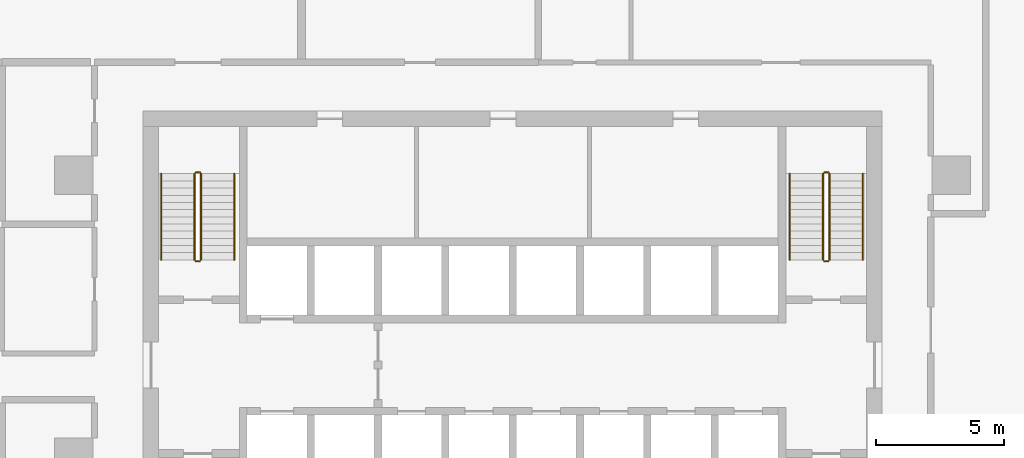
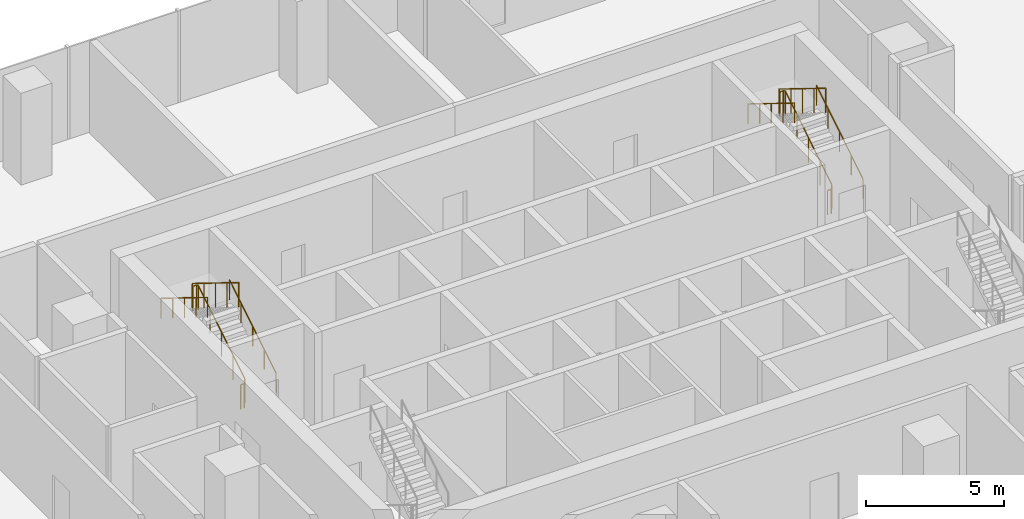
# One storey, part 14 of 15: 10 railings.
"""IFC4 building model written with IfcOpenShell, lengths in metres."""

import ifcopenshell
import ifcopenshell.guid

model = None  # the IFC model being written
_history = None  # IfcOwnerHistory: only IFC2X3 demands one
_inside = {}  # id of a spatial element -> (the spatial element, [elements in it])
_under = {}  # id of a project, library or spatial element -> (it, [spatial elements below it])
_declared = {}  # id of a project -> (the project, [libraries it declares])
_typed = {}  # id of a type object -> (the type object, [elements of that type])
_made_of = {}  # id of a material, layer set ... -> (it, [elements and type objects made of it])


def new_model(schema):
    """Start an empty IFC model of exactly this schema.

    Asked for "IFC4X3", IfcOpenShell would pick the latest addendum, in which some entities
    have other attributes; the version numbers below select the first issue.
    IFC2X3 requires an IfcOwnerHistory on every rooted entity: one is made here for all.
    """
    global model, _history
    if schema == "IFC4X3":
        model = ifcopenshell.file(schema_version=(4, 3, 0, 0))
    else:
        model = ifcopenshell.file(schema=schema)
    _inside.clear()
    _under.clear()
    _declared.clear()
    _typed.clear()
    _made_of.clear()
    _history = None
    if model.schema == "IFC2X3":
        org = make("IfcOrganization", Name="unknown")
        user = make(
            "IfcPersonAndOrganization",
            ThePerson=make("IfcPerson", FamilyName="unknown"),
            TheOrganization=org,
        )
        app = make(
            "IfcApplication",
            ApplicationDeveloper=org,
            Version="unknown",
            ApplicationFullName="unknown",
            ApplicationIdentifier="unknown",
        )
        _history = make(
            "IfcOwnerHistory",
            OwningUser=user,
            OwningApplication=app,
            ChangeAction="ADDED",
            CreationDate=0,
        )
    return model


def make(cls, **values):
    """One entity of the class cls with the attributes given. An attribute that is None is left unset."""
    return model.create_entity(
        cls, **{name: value for name, value in values.items() if value is not None}
    )


def rooted(cls, **values):
    """An entity with a GlobalId (a new one), such as an element, a storey or a relation."""
    return make(cls, GlobalId=ifcopenshell.guid.new(), OwnerHistory=_history, **values)


def si_unit(unit_type, name, prefix=None):
    """IfcSIUnit, for example si_unit("LENGTHUNIT", "METRE", prefix="MILLI")."""
    return make("IfcSIUnit", UnitType=unit_type, Prefix=prefix, Name=name)


def assignment(units):
    """IfcUnitAssignment: the units of a project."""
    return None if units is None else make("IfcUnitAssignment", Units=units)


def point(xyz):
    """IfcCartesianPoint."""
    return None if xyz is None else make("IfcCartesianPoint", Coordinates=xyz)


def direction(xyz):
    """IfcDirection."""
    return None if xyz is None else make("IfcDirection", DirectionRatios=xyz)


def frame(location, z_axis=None, x_axis=None):
    """IfcAxis2Placement3D, a coordinate frame: its origin and axes. An axis left out is left unset."""
    return make(
        "IfcAxis2Placement3D",
        Location=point(location),
        Axis=direction(z_axis),
        RefDirection=direction(x_axis),
    )


def frame_2d(location, x_axis=None):
    """IfcAxis2Placement2D, a coordinate frame in the plane: its origin and x axis."""
    return make(
        "IfcAxis2Placement2D", Location=point(location), RefDirection=direction(x_axis)
    )


def origin():
    """The frame at (0, 0, 0) with its axes left unset."""
    return frame((0.0, 0.0, 0.0))


def origin_2d():
    """The frame at (0, 0) in the plane with its x axis left unset."""
    return frame_2d((0.0, 0.0))


def place(relative_to, where):
    """IfcLocalPlacement: puts the frame where relative to a parent placement (None: the world)."""
    return make(
        "IfcLocalPlacement", PlacementRelTo=relative_to, RelativePlacement=where
    )


def context(
    kind, dimensions, precision=None, world=None, true_north=None, identifier=None
):
    """IfcGeometricRepresentationContext, for example the 3D "Model" context."""
    return make(
        "IfcGeometricRepresentationContext",
        ContextIdentifier=identifier,
        ContextType=kind,
        CoordinateSpaceDimension=dimensions,
        Precision=precision,
        WorldCoordinateSystem=world,
        TrueNorth=true_north,
    )


def subcontext(parent, identifier, kind, view, scale=None):
    """IfcGeometricRepresentationSubContext, for example "Body" below "Model"."""
    return make(
        "IfcGeometricRepresentationSubContext",
        ContextIdentifier=identifier,
        ContextType=kind,
        ParentContext=parent,
        TargetScale=scale,
        TargetView=view,
    )


def project(units=None, contexts=None):
    """IfcProject with its units and contexts."""
    return rooted(
        "IfcProject",
        Name="project",
        RepresentationContexts=contexts,
        UnitsInContext=assignment(units),
    )


def spatial(cls, under=None, at=None, **own):
    """A site, building, storey or space (cls), placed at a placement, below another one or the project."""
    s = rooted(cls, ObjectPlacement=at, **own)
    if under is not None:
        _under.setdefault(under.id(), (under, []))[1].append(s)
    return s


def profile(cls, at=None, kind="AREA", **sizes):
    """A parametric profile (cls). Its sizes go by their IFC names, for example OverallWidth=200.0."""
    return make(cls, ProfileType=kind, Position=at, **sizes)


def circle(**sizes):
    """IfcCircleProfileDef."""
    return profile("IfcCircleProfileDef", **sizes)


def extrude(swept, where, along, depth):
    """IfcExtrudedAreaSolid: the profile swept, set in the frame where, extruded along a direction by depth."""
    return make(
        "IfcExtrudedAreaSolid",
        SweptArea=swept,
        Position=where,
        ExtrudedDirection=direction(along),
        Depth=depth,
    )


def shape(context_of_items, identifier, shape_type, items):
    """IfcShapeRepresentation: the items that make up one representation, for example the "Body"."""
    return make(
        "IfcShapeRepresentation",
        ContextOfItems=context_of_items,
        RepresentationIdentifier=identifier,
        RepresentationType=shape_type,
        Items=items,
    )


def material(Name=None, Category=None):
    """IfcMaterial."""
    return make("IfcMaterial", Name=Name, Category=Category)


def made_of(thing, what):
    """Note that an element or type object is made of a material, layer set ...; save() writes the relation."""
    if what is not None:
        _made_of.setdefault(what.id(), (what, []))[1].append(thing)
    return thing


def type_object(cls, material=None, **own):
    """A type object (cls), such as IfcWallType, which elements share."""
    return made_of(rooted(cls, **own), material)


def element(
    cls,
    number,
    at=None,
    inside=None,
    cuts=None,
    type_object=None,
    material=None,
    context=None,
    identifier="Body",
    shape_type=None,
    held_by="IfcProductDefinitionShape",
    body=None,
    shapes=None,
    **own,
):
    """One element of the class cls, such as IfcWall. Its Tag is "e" and its number.

    at: its placement. inside: the storey or other place that contains it. cuts: it is an
    opening in that element (IfcRelVoidsElement). A single representation is given by context,
    identifier, shape_type and body (its items); several are given by shapes. held_by: the class
    of the entity that holds the representations. save() writes the other relations.
    """
    e = rooted(cls, Tag="e%d" % number, ObjectPlacement=at, **own)
    if body is not None:
        shapes = [shape(context, identifier, shape_type, body)]
    if shapes is not None:
        e.Representation = make(held_by, Representations=shapes)
    if inside is not None:
        _inside.setdefault(inside.id(), (inside, []))[1].append(e)
    if cuts is not None:
        rooted(
            "IfcRelVoidsElement", RelatingBuildingElement=cuts, RelatedOpeningElement=e
        )
    if type_object is not None:
        _typed.setdefault(type_object.id(), (type_object, []))[1].append(e)
    return made_of(e, material)


def aggregate(whole, parts):
    """IfcRelAggregates: a whole, such as a stair, and the parts it consists of."""
    return rooted("IfcRelAggregates", RelatingObject=whole, RelatedObjects=parts)


def save(model, path):
    """Write the relations noted so far, then the file.

    IfcRelAggregates (storeys below a building ...), IfcRelContainedInSpatialStructure (elements
    in a storey), IfcRelDefinesByType, IfcRelAssociatesMaterial and IfcRelDeclares: one each for
    every whole, place, type object, material and project.
    """
    for whole, parts in _under.values():
        aggregate(whole, parts)
    for where, things in _inside.values():
        rooted(
            "IfcRelContainedInSpatialStructure",
            RelatedElements=things,
            RelatingStructure=where,
        )
    for kind, things in _typed.values():
        rooted("IfcRelDefinesByType", RelatedObjects=things, RelatingType=kind)
    for what, things in _made_of.values():
        rooted("IfcRelAssociatesMaterial", RelatedObjects=things, RelatingMaterial=what)
    for by, libraries in _declared.values():
        rooted("IfcRelDeclares", RelatingContext=by, RelatedDefinitions=libraries)
    model.write(path)


model = new_model("IFC4")

# Units and contexts
model_context = context("Model", 3, precision=1e-05, world=origin(), true_north=direction((0.0, 1.0)))
body_context = subcontext(model_context, "Body", "Model", "MODEL_VIEW")
ifc_project = project(units=[si_unit("LENGTHUNIT", "METRE"), si_unit("AREAUNIT", "SQUARE_METRE"), si_unit("VOLUMEUNIT", "CUBIC_METRE"), si_unit("PLANEANGLEUNIT", "RADIAN"), si_unit("MASSUNIT", "GRAM", prefix="KILO")], contexts=[model_context])

# Site, building, storey
site_placement = place(None, origin())
site = spatial("IfcSite", under=ifc_project, at=site_placement, CompositionType="ELEMENT")
building_placement = place(site_placement, origin())
building = spatial("IfcBuilding", under=site, at=building_placement, Name="Mopane Tessera Tower", CompositionType="ELEMENT")
storey_placement = place(building_placement, frame((0.0, 0.0, 103.60009765625)))
storey = spatial("IfcBuildingStorey", under=building, at=storey_placement, Name="L20", CompositionType="ELEMENT", Elevation=103.60009765625)

# Railings
ifc_material_1 = material(Name="Powder-coated steel balustrade", Category="steel")
railing_type_1 = type_object("IfcRailingType", Name="Escape stair guard 1100 mm", PredefinedType="GUARDRAIL", material=ifc_material_1)
railing_1_placement = place(storey_placement, frame((-12.14990234375, 7.699951171875, 0.173095703125)))
element("IfcRailing", 1, at=railing_1_placement, inside=storey, type_object=railing_type_1, Name="L20 ST2 stair guard 1", PredefinedType="GUARDRAIL", context=body_context, shape_type="SweptSolid", body=[
    extrude(circle(Radius=0.02392578125, at=origin_2d()), frame((0.0, 0.0, 1.076171875), z_axis=(0.0, 0.850623216509, 0.525775754039), x_axis=(-1.0, 0.0, 0.0)), (0.0, 0.0, 1.0), 3.9501953125),
    extrude(circle(Radius=0.02392578125, at=origin_2d()), frame((0.0, 3.360107421875, 3.15283203125), z_axis=(-0.707106781187, 0.707106781187, 0.0), x_axis=(-0.707106781187, -0.707106781187, 0.0)), (0.0, 0.0, 1.0), 0.07080078125),
    extrude(circle(Radius=0.02392578125, at=origin_2d()), frame((-0.050048828125, 3.41015625, 3.15283203125), z_axis=(-1.0, 0.0, 0.0), x_axis=(0.0, -1.0, 0.0)), (0.0, 0.0, 1.0), 0.150146484375),
    extrude(circle(Radius=0.02099609375, at=origin_2d()), origin(), (0.0, 0.0, 1.0), 1.052001953125),
    extrude(circle(Radius=0.02099609375, at=origin_2d()), frame((0.0, 0.840087890625, 0.519287109375)), (0.0, 0.0, 1.0), 1.052001953125),
    extrude(circle(Radius=0.02099609375, at=origin_2d()), frame((0.0, 1.68017578125, 1.03857421875)), (0.0, 0.0, 1.0), 1.052001953125),
    extrude(circle(Radius=0.02099609375, at=origin_2d()), frame((0.0, 2.52001953125, 1.5576171875)), (0.0, 0.0, 1.0), 1.052001953125),
    extrude(circle(Radius=0.02099609375, at=origin_2d()), frame((0.0, 3.360107421875, 2.076904296875)), (0.0, 0.0, 1.0), 1.052001953125),
    extrude(circle(Radius=0.02099609375, at=origin_2d()), frame((-0.050048828125, 3.41015625, 2.076904296875)), (0.0, 0.0, 1.0), 1.052001953125),
    extrude(circle(Radius=0.02099609375, at=origin_2d()), frame((-0.2001953125, 3.41015625, 2.076904296875)), (0.0, 0.0, 1.0), 1.052001953125),
])
railing_2_placement = place(storey_placement, frame((-12.39990234375, 11.06005859375, 2.423095703125)))
element("IfcRailing", 2, at=railing_2_placement, inside=storey, type_object=railing_type_1, Name="L20 ST2 stair guard 2", PredefinedType="GUARDRAIL", context=body_context, shape_type="SweptSolid", body=[
    extrude(circle(Radius=0.02392578125, at=origin_2d()), frame((0.0, 0.0, 1.076171875), z_axis=(0.0, -0.850623216509, 0.525775754039), x_axis=(1.0, 0.0, 0.0)), (0.0, 0.0, 1.0), 3.9501953125),
    extrude(circle(Radius=0.02099609375, at=origin_2d()), origin(), (0.0, 0.0, 1.0), 1.052001953125),
    extrude(circle(Radius=0.02099609375, at=origin_2d()), frame((0.0, -0.840087890625, 0.519287109375)), (0.0, 0.0, 1.0), 1.052001953125),
    extrude(circle(Radius=0.02099609375, at=origin_2d()), frame((0.0, -1.68017578125, 1.03857421875)), (0.0, 0.0, 1.0), 1.052001953125),
    extrude(circle(Radius=0.02099609375, at=origin_2d()), frame((0.0, -2.52001953125, 1.5576171875)), (0.0, 0.0, 1.0), 1.052001953125),
    extrude(circle(Radius=0.02099609375, at=origin_2d()), frame((0.0, -3.360107421875, 2.076904296875)), (0.0, 0.0, 1.0), 1.052001953125),
])
railing_3_placement = place(storey_placement, frame((-12.199951171875, 7.64990234375, 0.0)))
element("IfcRailing", 3, at=railing_3_placement, inside=storey, type_object=railing_type_1, Name="L20 ST2 stair guard 3", PredefinedType="GUARDRAIL", context=body_context, shape_type="SweptSolid", body=[
    extrude(circle(Radius=0.02392578125, at=origin_2d()), frame((0.0, 0.0, 1.076171875), z_axis=(-1.0, 0.0, 0.0), x_axis=(0.0, -1.0, 0.0)), (0.0, 0.0, 1.0), 0.150146484375),
    extrude(circle(Radius=0.02099609375, at=origin_2d()), origin(), (0.0, 0.0, 1.0), 1.052001953125),
    extrude(circle(Radius=0.02099609375, at=origin_2d()), frame((-0.150146484375, 0.0, 0.0)), (0.0, 0.0, 1.0), 1.052001953125),
])
railing_4_placement = place(storey_placement, frame((12.35009765625, 7.699951171875, 0.173095703125)))
element("IfcRailing", 4, at=railing_4_placement, inside=storey, type_object=railing_type_1, Name="L20 ST4 stair guard 1", PredefinedType="GUARDRAIL", context=body_context, shape_type="SweptSolid", body=[
    extrude(circle(Radius=0.02392578125, at=origin_2d()), frame((0.0, 0.0, 1.076171875), z_axis=(0.0, 0.850623216509, 0.525775754039), x_axis=(-1.0, 0.0, 0.0)), (0.0, 0.0, 1.0), 3.9501953125),
    extrude(circle(Radius=0.02392578125, at=origin_2d()), frame((0.0, 3.360107421875, 3.15283203125), z_axis=(-0.707106781187, 0.707106781187, 0.0), x_axis=(-0.707106781187, -0.707106781187, 0.0)), (0.0, 0.0, 1.0), 0.07080078125),
    extrude(circle(Radius=0.02392578125, at=origin_2d()), frame((-0.050048828125, 3.41015625, 3.15283203125), z_axis=(-1.0, 0.0, 0.0), x_axis=(0.0, -1.0, 0.0)), (0.0, 0.0, 1.0), 0.150146484375),
    extrude(circle(Radius=0.02099609375, at=origin_2d()), origin(), (0.0, 0.0, 1.0), 1.052001953125),
    extrude(circle(Radius=0.02099609375, at=origin_2d()), frame((0.0, 0.840087890625, 0.519287109375)), (0.0, 0.0, 1.0), 1.052001953125),
    extrude(circle(Radius=0.02099609375, at=origin_2d()), frame((0.0, 1.68017578125, 1.03857421875)), (0.0, 0.0, 1.0), 1.052001953125),
    extrude(circle(Radius=0.02099609375, at=origin_2d()), frame((0.0, 2.52001953125, 1.5576171875)), (0.0, 0.0, 1.0), 1.052001953125),
    extrude(circle(Radius=0.02099609375, at=origin_2d()), frame((0.0, 3.360107421875, 2.076904296875)), (0.0, 0.0, 1.0), 1.052001953125),
    extrude(circle(Radius=0.02099609375, at=origin_2d()), frame((-0.050048828125, 3.41015625, 2.076904296875)), (0.0, 0.0, 1.0), 1.052001953125),
    extrude(circle(Radius=0.02099609375, at=origin_2d()), frame((-0.2001953125, 3.41015625, 2.076904296875)), (0.0, 0.0, 1.0), 1.052001953125),
])
railing_5_placement = place(storey_placement, frame((12.10009765625, 11.06005859375, 2.423095703125)))
element("IfcRailing", 5, at=railing_5_placement, inside=storey, type_object=railing_type_1, Name="L20 ST4 stair guard 2", PredefinedType="GUARDRAIL", context=body_context, shape_type="SweptSolid", body=[
    extrude(circle(Radius=0.02392578125, at=origin_2d()), frame((0.0, 0.0, 1.076171875), z_axis=(0.0, -0.850623216509, 0.525775754039), x_axis=(1.0, 0.0, 0.0)), (0.0, 0.0, 1.0), 3.9501953125),
    extrude(circle(Radius=0.02099609375, at=origin_2d()), origin(), (0.0, 0.0, 1.0), 1.052001953125),
    extrude(circle(Radius=0.02099609375, at=origin_2d()), frame((0.0, -0.840087890625, 0.519287109375)), (0.0, 0.0, 1.0), 1.052001953125),
    extrude(circle(Radius=0.02099609375, at=origin_2d()), frame((0.0, -1.68017578125, 1.03857421875)), (0.0, 0.0, 1.0), 1.052001953125),
    extrude(circle(Radius=0.02099609375, at=origin_2d()), frame((0.0, -2.52001953125, 1.5576171875)), (0.0, 0.0, 1.0), 1.052001953125),
    extrude(circle(Radius=0.02099609375, at=origin_2d()), frame((0.0, -3.360107421875, 2.076904296875)), (0.0, 0.0, 1.0), 1.052001953125),
])
railing_6_placement = place(storey_placement, frame((12.300048828125, 7.64990234375, 0.0)))
element("IfcRailing", 6, at=railing_6_placement, inside=storey, type_object=railing_type_1, Name="L20 ST4 stair guard 3", PredefinedType="GUARDRAIL", context=body_context, shape_type="SweptSolid", body=[
    extrude(circle(Radius=0.02392578125, at=origin_2d()), frame((0.0, 0.0, 1.076171875), z_axis=(-1.0, 0.0, 0.0), x_axis=(0.0, -1.0, 0.0)), (0.0, 0.0, 1.0), 0.150146484375),
    extrude(circle(Radius=0.02099609375, at=origin_2d()), origin(), (0.0, 0.0, 1.0), 1.052001953125),
    extrude(circle(Radius=0.02099609375, at=origin_2d()), frame((-0.150146484375, 0.0, 0.0)), (0.0, 0.0, 1.0), 1.052001953125),
])
ifc_material_2 = material(Name="Powder-coated steel balustrade", Category="steel")
railing_type_2 = type_object("IfcRailingType", Name="Escape stair handrail 900 mm", PredefinedType="HANDRAIL", material=ifc_material_2)
railing_7_placement = place(storey_placement, frame((-10.85009765625, 7.699951171875, 0.173095703125)))
element("IfcRailing", 7, at=railing_7_placement, inside=storey, type_object=railing_type_2, Name="L20 ST2 stair handrail 1", PredefinedType="HANDRAIL", context=body_context, shape_type="SweptSolid", body=[
    extrude(circle(Radius=0.02392578125, at=origin_2d()), frame((0.0, 0.0, 0.8759765625), z_axis=(0.0, 0.850623216509, 0.525775754039), x_axis=(-1.0, 0.0, 0.0)), (0.0, 0.0, 1.0), 3.9501953125),
    extrude(circle(Radius=0.02099609375, at=origin_2d()), origin(), (0.0, 0.0, 1.0), 0.851806640625),
    extrude(circle(Radius=0.02099609375, at=origin_2d()), frame((0.0, 0.840087890625, 0.519287109375)), (0.0, 0.0, 1.0), 0.851806640625),
    extrude(circle(Radius=0.02099609375, at=origin_2d()), frame((0.0, 1.68017578125, 1.03857421875)), (0.0, 0.0, 1.0), 0.851806640625),
    extrude(circle(Radius=0.02099609375, at=origin_2d()), frame((0.0, 2.52001953125, 1.5576171875)), (0.0, 0.0, 1.0), 0.851806640625),
    extrude(circle(Radius=0.02099609375, at=origin_2d()), frame((0.0, 3.360107421875, 2.076904296875)), (0.0, 0.0, 1.0), 0.851806640625),
])
railing_8_placement = place(storey_placement, frame((-13.699951171875, 11.06005859375, 2.423095703125)))
element("IfcRailing", 8, at=railing_8_placement, inside=storey, type_object=railing_type_2, Name="L20 ST2 stair handrail 2", PredefinedType="HANDRAIL", context=body_context, shape_type="SweptSolid", body=[
    extrude(circle(Radius=0.02392578125, at=origin_2d()), frame((0.0, 0.0, 0.8759765625), z_axis=(0.0, -0.850623216509, 0.525775754039), x_axis=(1.0, 0.0, 0.0)), (0.0, 0.0, 1.0), 3.9501953125),
    extrude(circle(Radius=0.02099609375, at=origin_2d()), origin(), (0.0, 0.0, 1.0), 0.851806640625),
    extrude(circle(Radius=0.02099609375, at=origin_2d()), frame((0.0, -0.840087890625, 0.519287109375)), (0.0, 0.0, 1.0), 0.851806640625),
    extrude(circle(Radius=0.02099609375, at=origin_2d()), frame((0.0, -1.68017578125, 1.03857421875)), (0.0, 0.0, 1.0), 0.851806640625),
    extrude(circle(Radius=0.02099609375, at=origin_2d()), frame((0.0, -2.52001953125, 1.5576171875)), (0.0, 0.0, 1.0), 0.851806640625),
    extrude(circle(Radius=0.02099609375, at=origin_2d()), frame((0.0, -3.360107421875, 2.076904296875)), (0.0, 0.0, 1.0), 0.851806640625),
])
railing_9_placement = place(storey_placement, frame((13.64990234375, 7.699951171875, 0.173095703125)))
element("IfcRailing", 9, at=railing_9_placement, inside=storey, type_object=railing_type_2, Name="L20 ST4 stair handrail 1", PredefinedType="HANDRAIL", context=body_context, shape_type="SweptSolid", body=[
    extrude(circle(Radius=0.02392578125, at=origin_2d()), frame((0.0, 0.0, 0.8759765625), z_axis=(0.0, 0.850623216509, 0.525775754039), x_axis=(-1.0, 0.0, 0.0)), (0.0, 0.0, 1.0), 3.9501953125),
    extrude(circle(Radius=0.02099609375, at=origin_2d()), origin(), (0.0, 0.0, 1.0), 0.851806640625),
    extrude(circle(Radius=0.02099609375, at=origin_2d()), frame((0.0, 0.840087890625, 0.519287109375)), (0.0, 0.0, 1.0), 0.851806640625),
    extrude(circle(Radius=0.02099609375, at=origin_2d()), frame((0.0, 1.68017578125, 1.03857421875)), (0.0, 0.0, 1.0), 0.851806640625),
    extrude(circle(Radius=0.02099609375, at=origin_2d()), frame((0.0, 2.52001953125, 1.5576171875)), (0.0, 0.0, 1.0), 0.851806640625),
    extrude(circle(Radius=0.02099609375, at=origin_2d()), frame((0.0, 3.360107421875, 2.076904296875)), (0.0, 0.0, 1.0), 0.851806640625),
])
railing_10_placement = place(storey_placement, frame((10.800048828125, 11.06005859375, 2.423095703125)))
element("IfcRailing", 10, at=railing_10_placement, inside=storey, type_object=railing_type_2, Name="L20 ST4 stair handrail 2", PredefinedType="HANDRAIL", context=body_context, shape_type="SweptSolid", body=[
    extrude(circle(Radius=0.02392578125, at=origin_2d()), frame((0.0, 0.0, 0.8759765625), z_axis=(0.0, -0.850623216509, 0.525775754039), x_axis=(1.0, 0.0, 0.0)), (0.0, 0.0, 1.0), 3.9501953125),
    extrude(circle(Radius=0.02099609375, at=origin_2d()), origin(), (0.0, 0.0, 1.0), 0.851806640625),
    extrude(circle(Radius=0.02099609375, at=origin_2d()), frame((0.0, -0.840087890625, 0.519287109375)), (0.0, 0.0, 1.0), 0.851806640625),
    extrude(circle(Radius=0.02099609375, at=origin_2d()), frame((0.0, -1.68017578125, 1.03857421875)), (0.0, 0.0, 1.0), 0.851806640625),
    extrude(circle(Radius=0.02099609375, at=origin_2d()), frame((0.0, -2.52001953125, 1.5576171875)), (0.0, 0.0, 1.0), 0.851806640625),
    extrude(circle(Radius=0.02099609375, at=origin_2d()), frame((0.0, -3.360107421875, 2.076904296875)), (0.0, 0.0, 1.0), 0.851806640625),
])

save(model, "model.ifc")
